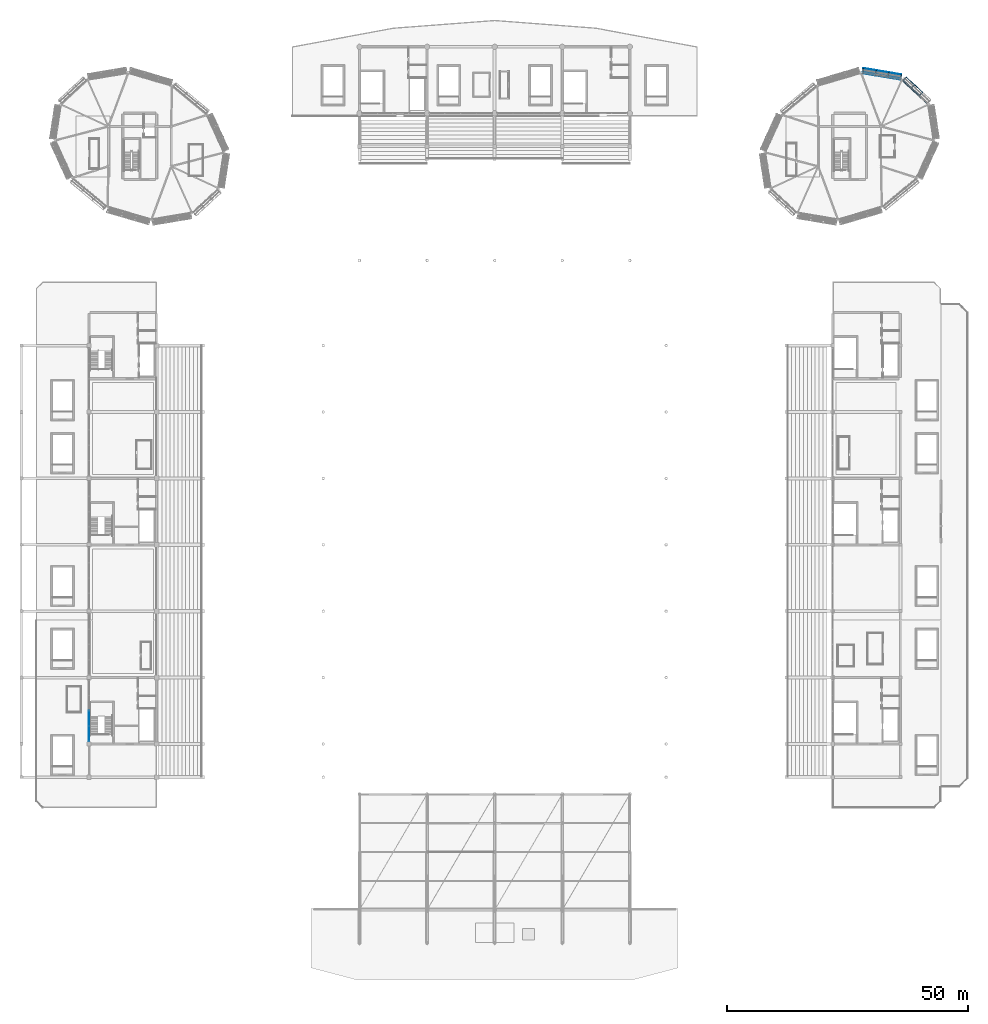
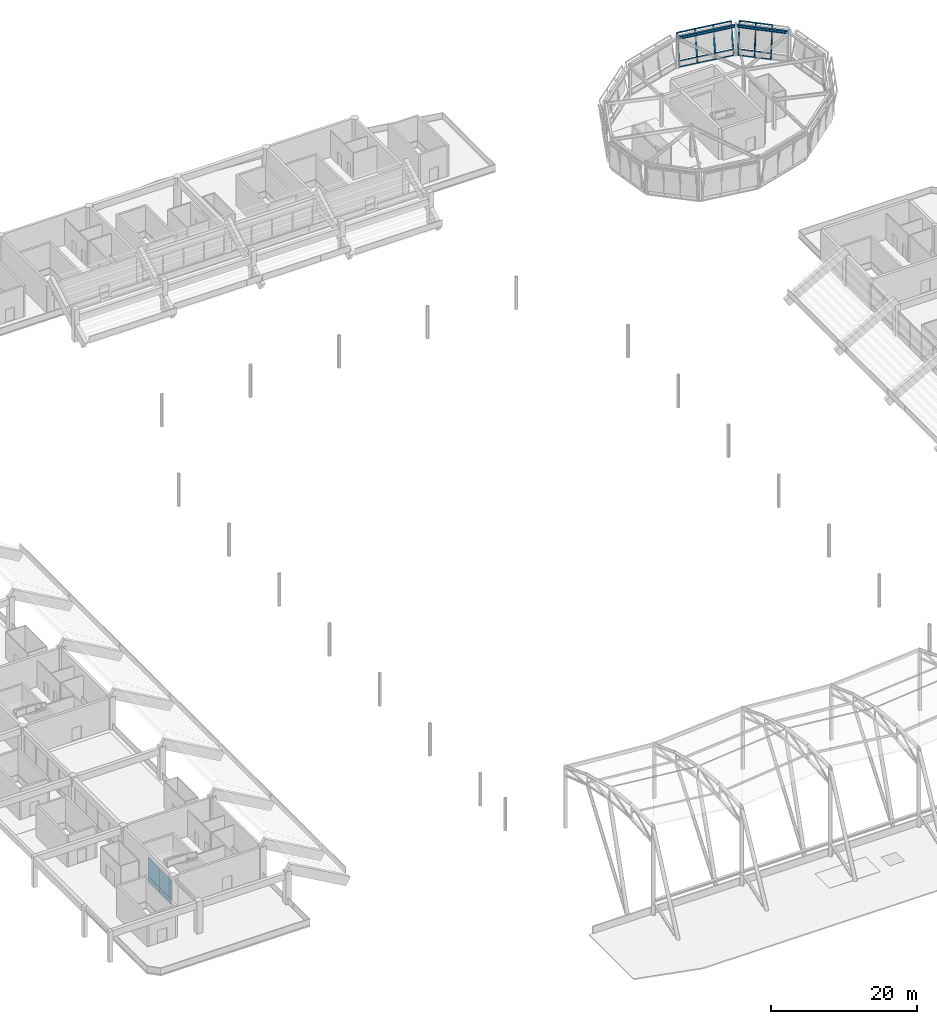
# One storey, part 56 of 90: 22 members, 4 plates, 2 beams, 3 elements without a shape of their own.
"""IFC4 building model written with IfcOpenShell, lengths in metres."""

from ifc_helpers import new_model, si_unit, direction, frame, origin, origin_2d, place, context, subcontext, project, spatial, rectangle, hollow_rectangle, i_section, extrude, material, layer, layer_set, material_profile, profile_set, type_object, element, aggregate, save


model = new_model("IFC4")

# Units and contexts
model_context = context("Model", 3, precision=1e-05, world=origin(), true_north=direction((0.0, 1.0)))
body_context = subcontext(model_context, "Body", "Model", "MODEL_VIEW")
ifc_project = project(units=[si_unit("LENGTHUNIT", "METRE"), si_unit("AREAUNIT", "SQUARE_METRE"), si_unit("VOLUMEUNIT", "CUBIC_METRE"), si_unit("PLANEANGLEUNIT", "RADIAN"), si_unit("MASSUNIT", "GRAM", prefix="KILO")], contexts=[model_context])

# Site, building, storey
site_placement = place(None, origin())
site = spatial("IfcSite", under=ifc_project, at=site_placement, CompositionType="ELEMENT")
building_placement = place(site_placement, origin())
building = spatial("IfcBuilding", under=site, at=building_placement, Name="Linyun Crest Stadium", CompositionType="ELEMENT")
storey_placement = place(building_placement, frame((0.0, 0.0, 21.0)))
storey = spatial("IfcBuildingStorey", under=building, at=storey_placement, Name="L05", CompositionType="ELEMENT", Elevation=21.0)

# Beams
ifc_material_1 = material(Name="Steel Q355C", Category="steel")
ifc_material_profile_1 = material_profile(ifc_material_1, i_section(OverallWidth=0.300048828125, OverallDepth=0.43994140625, WebThickness=0.010986328125, FlangeThickness=0.01806640625, at=origin_2d()), Name="HM 440x300")
ifc_profile_set_1 = profile_set([ifc_material_profile_1], Name="Steel Q355C")
beam_type = type_object("IfcBeamType", Name="B07", PredefinedType="BEAM", material=ifc_profile_set_1)
beam_1_placement = place(storey_placement, frame((89.7470703125, 93.39111328125, 4.929931640625), z_axis=(-0.734193861678, 0.678939889441, 0.0), x_axis=(-0.678939889441, -0.734193861678, 0.0)))
element("IfcBeam", 1, at=beam_1_placement, inside=storey, type_object=beam_type, Name="Pod ring girder B07 L05 145", PredefinedType="BEAM", context=body_context, shape_type="SweptSolid", body=[
    extrude(i_section(OverallWidth=0.300048828125, OverallDepth=0.43994140625, WebThickness=0.010986328125, FlangeThickness=0.01806640625, at=origin_2d()), origin(), (0.0, 0.0, 1.0), 7.28173828125),
])
beam_2_placement = place(storey_placement, frame((84.195068359375, 98.43603515625, 4.929931640625), z_axis=(-0.986275969976, 0.165105151487, 0.0), x_axis=(-0.165105151487, -0.986275969976, 0.0)))
element("IfcBeam", 2, at=beam_2_placement, inside=storey, type_object=beam_type, Name="Pod ring girder B07 L05 147", PredefinedType="BEAM", context=body_context, shape_type="SweptSolid", body=[
    extrude(i_section(OverallWidth=0.300048828125, OverallDepth=0.43994140625, WebThickness=0.010986328125, FlangeThickness=0.01806640625, at=origin_2d()), origin(), (0.0, 0.0, 1.0), 8.296875),
])

# Curtain wall, members
ifc_material_2 = material(Name="Verdigris steel and low-E curtain wall assembly", Category="steel")
curtain_wall_type_1 = type_object("IfcCurtainWallType", Name="MCW04", PredefinedType="NOTDEFINED", material=ifc_material_2)
curtain_wall_1_placement = place(storey_placement, origin())
curtain_wall_1 = element("IfcCurtainWall", 3, at=curtain_wall_1_placement, inside=storey, type_object=curtain_wall_type_1, Name="CWR-049", PredefinedType="NOTDEFINED")
ifc_material_3 = material(Name="Verdigris painted steel Q355C pod mullion", Category="steel")
ifc_material_profile_2 = material_profile(ifc_material_3, hollow_rectangle(XDim=0.1201171875, YDim=0.219970703125, WallThickness=0.008056640625, at=origin_2d()), Name="RHS 220x120x8")
ifc_profile_set_2 = profile_set([ifc_material_profile_2], Name="Verdigris painted steel Q355C pod mullion")
member_type_1 = type_object("IfcMemberType", Name="ML04", PredefinedType="MULLION", material=ifc_profile_set_2)
member_1_placement = place(storey_placement, frame((87.9208984375, 95.080078125, 0.0), z_axis=(0.135408824728, 0.146377696005, 0.97991735381), x_axis=(0.986931474676, 0.067271316009, -0.146426890757)))
member_1 = element("IfcMember", 4, at=member_1_placement, type_object=member_type_1, Name="CWR-049 mullion 2", PredefinedType="MULLION", context=body_context, shape_type="SweptSolid", body=[
    extrude(hollow_rectangle(XDim=0.1201171875, YDim=0.219970703125, WallThickness=0.008056640625, at=origin_2d()), origin(), (0.0, 0.0, 1.0), 5.163818359375),
])
member_2_placement = place(storey_placement, frame((86.22705078125, 96.64599609375, 0.0), z_axis=(0.135361474609, 0.146424899359, 0.979916843431), x_axis=(0.986908625049, 0.067601716687, -0.146428732514)))
member_2 = element("IfcMember", 5, at=member_2_placement, type_object=member_type_1, Name="CWR-049 mullion 3", PredefinedType="MULLION", context=body_context, shape_type="SweptSolid", body=[
    extrude(hollow_rectangle(XDim=0.1201171875, YDim=0.219970703125, WallThickness=0.008056640625, at=origin_2d()), origin(), (0.0, 0.0, 1.0), 5.163818359375),
])
member_3_placement = place(storey_placement, frame((84.532958984375, 98.2119140625, 0.0), z_axis=(0.135361474609, 0.146424899359, 0.979916843431), x_axis=(0.986908625049, 0.067601716687, -0.146428732514)))
member_3 = element("IfcMember", 6, at=member_3_placement, type_object=member_type_1, Name="CWR-049 mullion 4", PredefinedType="MULLION", context=body_context, shape_type="SweptSolid", body=[
    extrude(hollow_rectangle(XDim=0.1201171875, YDim=0.219970703125, WallThickness=0.008056640625, at=origin_2d()), origin(), (0.0, 0.0, 1.0), 5.163818359375),
])

curtain_wall_2_placement = place(storey_placement, origin())
curtain_wall_2 = element("IfcCurtainWall", 7, at=curtain_wall_2_placement, inside=storey, type_object=curtain_wall_type_1, Name="CWR-050", PredefinedType="NOTDEFINED")
member_4_placement = place(storey_placement, frame((84.01708984375, 98.466064453125, 0.0), z_axis=(0.032907446798, 0.196546345318, 0.979942158542), x_axis=(0.322380364555, 0.925980213076, -0.196549091937)))
member_4 = element("IfcMember", 8, at=member_4_placement, type_object=member_type_1, Name="CWR-050 mullion 1", PredefinedType="MULLION", context=body_context, shape_type="SweptSolid", body=[
    extrude(hollow_rectangle(XDim=0.1201171875, YDim=0.219970703125, WallThickness=0.008056640625, at=origin_2d()), origin(), (0.0, 0.0, 1.0), 5.16357421875),
])
member_5_placement = place(storey_placement, frame((81.407958984375, 98.903076171875, 0.0), z_axis=(0.032907446798, 0.196546345318, 0.979942158542), x_axis=(0.322380364555, 0.925980213076, -0.196549091937)))
member_5 = element("IfcMember", 9, at=member_5_placement, type_object=member_type_1, Name="CWR-050 mullion 2", PredefinedType="MULLION", context=body_context, shape_type="SweptSolid", body=[
    extrude(hollow_rectangle(XDim=0.1201171875, YDim=0.219970703125, WallThickness=0.008056640625, at=origin_2d()), origin(), (0.0, 0.0, 1.0), 5.16357421875),
])
member_6_placement = place(storey_placement, frame((78.799072265625, 99.339111328125, 0.0), z_axis=(0.03290622306, 0.196728152516, 0.979905717144), x_axis=(0.322229454544, 0.925995226234, -0.196725747212)))
member_6 = element("IfcMember", 10, at=member_6_placement, type_object=member_type_1, Name="CWR-050 mullion 3", PredefinedType="MULLION", context=body_context, shape_type="SweptSolid", body=[
    extrude(hollow_rectangle(XDim=0.1201171875, YDim=0.219970703125, WallThickness=0.008056640625, at=origin_2d()), origin(), (0.0, 0.0, 1.0), 5.163818359375),
])
member_7_placement = place(storey_placement, frame((76.18994140625, 99.77587890625, 0.0), z_axis=(0.032954370027, 0.19659149293, 0.979931525365), x_axis=(0.322558975368, 0.925907063302, -0.196600654976)))
member_7 = element("IfcMember", 11, at=member_7_placement, type_object=member_type_1, Name="CWR-050 mullion 4", PredefinedType="MULLION", context=body_context, shape_type="SweptSolid", body=[
    extrude(hollow_rectangle(XDim=0.1201171875, YDim=0.219970703125, WallThickness=0.008056640625, at=origin_2d()), origin(), (0.0, 0.0, 1.0), 5.16357421875),
])

# Member
ifc_material_4 = material(Name="Verdigris painted steel Q355C transom", Category="steel")
ifc_material_profile_3 = material_profile(ifc_material_4, hollow_rectangle(XDim=0.10009765625, YDim=0.199951171875, WallThickness=0.008056640625, at=origin_2d()), Name="RHS 200x100x8")
ifc_profile_set_3 = profile_set([ifc_material_profile_3], Name="Verdigris painted steel Q355C transom")
member_type_2 = type_object("IfcMemberType", Name="TR03", PredefinedType="USERDEFINED", material=ifc_profile_set_3)
member_8_placement = place(storey_placement, frame((87.9208984375, 95.080078125, 0.0), z_axis=(-0.73429197574, 0.678833775208, 0.0), x_axis=(-0.678833775208, -0.73429197574, 0.0)))
member_8 = element("IfcMember", 12, at=member_8_placement, type_object=member_type_2, Name="CWR-049 transom 2.1", ObjectType="TRANSOM", PredefinedType="USERDEFINED", context=body_context, shape_type="SweptSolid", body=[
    extrude(hollow_rectangle(XDim=0.10009765625, YDim=0.199951171875, WallThickness=0.008056640625, at=origin_2d()), origin(), (0.0, 0.0, 1.0), 2.306884765625),
])

member_9_placement = place(storey_placement, frame((88.044921875, 95.214111328125, 0.89990234375), z_axis=(-0.73429197574, 0.678833775208, 0.0), x_axis=(-0.678833775208, -0.73429197574, 0.0)))
member_9 = element("IfcMember", 13, at=member_9_placement, type_object=member_type_2, Name="CWR-049 transom 2.2", ObjectType="TRANSOM", PredefinedType="USERDEFINED", context=body_context, shape_type="SweptSolid", body=[
    extrude(hollow_rectangle(XDim=0.10009765625, YDim=0.199951171875, WallThickness=0.008056640625, at=origin_2d()), origin(), (0.0, 0.0, 1.0), 2.306884765625),
])

member_10_placement = place(storey_placement, frame((88.6201171875, 95.8359375, 5.06005859375), z_axis=(-0.734287991916, 0.678838084471, 0.0), x_axis=(-0.678838084471, -0.734287991916, 0.0)))
member_10 = element("IfcMember", 14, at=member_10_placement, type_object=member_type_2, Name="CWR-049 transom 2.3", ObjectType="TRANSOM", PredefinedType="USERDEFINED", context=body_context, shape_type="SweptSolid", body=[
    extrude(hollow_rectangle(XDim=0.10009765625, YDim=0.199951171875, WallThickness=0.008056640625, at=origin_2d()), origin(), (0.0, 0.0, 1.0), 2.30712890625),
])

member_11_placement = place(storey_placement, frame((86.22705078125, 96.64599609375, 0.0), z_axis=(-0.734340741023, 0.678781022182, 0.0), x_axis=(-0.678781022182, -0.734340741023, 0.0)))
member_11 = element("IfcMember", 15, at=member_11_placement, type_object=member_type_2, Name="CWR-049 transom 3.1", ObjectType="TRANSOM", PredefinedType="USERDEFINED", context=body_context, shape_type="SweptSolid", body=[
    extrude(hollow_rectangle(XDim=0.10009765625, YDim=0.199951171875, WallThickness=0.008056640625, at=origin_2d()), origin(), (0.0, 0.0, 1.0), 2.306884765625),
])

member_12_placement = place(storey_placement, frame((86.35107421875, 96.780029296875, 0.89990234375), z_axis=(-0.734340741023, 0.678781022182, 0.0), x_axis=(-0.678781022182, -0.734340741023, 0.0)))
member_12 = element("IfcMember", 16, at=member_12_placement, type_object=member_type_2, Name="CWR-049 transom 3.2", ObjectType="TRANSOM", PredefinedType="USERDEFINED", context=body_context, shape_type="SweptSolid", body=[
    extrude(hollow_rectangle(XDim=0.10009765625, YDim=0.199951171875, WallThickness=0.008056640625, at=origin_2d()), origin(), (0.0, 0.0, 1.0), 2.306884765625),
])

member_13_placement = place(storey_placement, frame((86.926025390625, 97.402099609375, 5.06005859375), z_axis=(-0.734340741023, 0.678781022182, 0.0), x_axis=(-0.678781022182, -0.734340741023, 0.0)))
member_13 = element("IfcMember", 17, at=member_13_placement, type_object=member_type_2, Name="CWR-049 transom 3.3", ObjectType="TRANSOM", PredefinedType="USERDEFINED", context=body_context, shape_type="SweptSolid", body=[
    extrude(hollow_rectangle(XDim=0.10009765625, YDim=0.199951171875, WallThickness=0.008056640625, at=origin_2d()), origin(), (0.0, 0.0, 1.0), 2.306884765625),
])

aggregate(curtain_wall_1, [member_1, member_2, member_3, member_8, member_9, member_10, member_11, member_12, member_13])

member_14_placement = place(storey_placement, frame((84.01708984375, 98.466064453125, 0.0), z_axis=(-0.986261411357, 0.165192095661, 0.0), x_axis=(-0.165192095661, -0.986261411357, 0.0)))
member_14 = element("IfcMember", 18, at=member_14_placement, type_object=member_type_2, Name="CWR-050 transom 1.1", ObjectType="TRANSOM", PredefinedType="USERDEFINED", context=body_context, shape_type="SweptSolid", body=[
    extrude(hollow_rectangle(XDim=0.10009765625, YDim=0.199951171875, WallThickness=0.008056640625, at=origin_2d()), origin(), (0.0, 0.0, 1.0), 2.6455078125),
])

member_15_placement = place(storey_placement, frame((84.047119140625, 98.64697265625, 0.89990234375), z_axis=(-0.986321491601, 0.164832991859, 0.0), x_axis=(-0.164832991859, -0.986321491601, 0.0)))
member_15 = element("IfcMember", 19, at=member_15_placement, type_object=member_type_2, Name="CWR-050 transom 1.2", ObjectType="TRANSOM", PredefinedType="USERDEFINED", context=body_context, shape_type="SweptSolid", body=[
    extrude(hollow_rectangle(XDim=0.10009765625, YDim=0.199951171875, WallThickness=0.008056640625, at=origin_2d()), origin(), (0.0, 0.0, 1.0), 2.645263671875),
])

member_16_placement = place(storey_placement, frame((84.18701171875, 99.48095703125, 5.06005859375), z_axis=(-0.986261411357, 0.165192095661, 0.0), x_axis=(-0.165192095661, -0.986261411357, 0.0)))
member_16 = element("IfcMember", 20, at=member_16_placement, type_object=member_type_2, Name="CWR-050 transom 1.3", ObjectType="TRANSOM", PredefinedType="USERDEFINED", context=body_context, shape_type="SweptSolid", body=[
    extrude(hollow_rectangle(XDim=0.10009765625, YDim=0.199951171875, WallThickness=0.008056640625, at=origin_2d()), origin(), (0.0, 0.0, 1.0), 2.6455078125),
])

member_17_placement = place(storey_placement, frame((81.407958984375, 98.903076171875, 0.0), z_axis=(-0.986318983701, 0.164847997837, 0.0), x_axis=(-0.164847997837, -0.986318983701, 0.0)))
member_17 = element("IfcMember", 21, at=member_17_placement, type_object=member_type_2, Name="CWR-050 transom 2.1", ObjectType="TRANSOM", PredefinedType="USERDEFINED", context=body_context, shape_type="SweptSolid", body=[
    extrude(hollow_rectangle(XDim=0.10009765625, YDim=0.199951171875, WallThickness=0.008056640625, at=origin_2d()), origin(), (0.0, 0.0, 1.0), 2.64501953125),
])

member_18_placement = place(storey_placement, frame((81.43798828125, 99.0830078125, 0.89990234375), z_axis=(-0.98625889267, 0.165207132499, 0.0), x_axis=(-0.165207132499, -0.98625889267, 0.0)))
member_18 = element("IfcMember", 22, at=member_18_placement, type_object=member_type_2, Name="CWR-050 transom 2.2", ObjectType="TRANSOM", PredefinedType="USERDEFINED", context=body_context, shape_type="SweptSolid", body=[
    extrude(hollow_rectangle(XDim=0.10009765625, YDim=0.199951171875, WallThickness=0.008056640625, at=origin_2d()), origin(), (0.0, 0.0, 1.0), 2.645263671875),
])

member_19_placement = place(storey_placement, frame((81.577880859375, 99.91796875, 5.06005859375), z_axis=(-0.98625889267, 0.165207132499, 0.0), x_axis=(-0.165207132499, -0.98625889267, 0.0)))
member_19 = element("IfcMember", 23, at=member_19_placement, type_object=member_type_2, Name="CWR-050 transom 2.3", ObjectType="TRANSOM", PredefinedType="USERDEFINED", context=body_context, shape_type="SweptSolid", body=[
    extrude(hollow_rectangle(XDim=0.10009765625, YDim=0.199951171875, WallThickness=0.008056640625, at=origin_2d()), origin(), (0.0, 0.0, 1.0), 2.645263671875),
])

member_20_placement = place(storey_placement, frame((78.799072265625, 99.339111328125, 0.0), z_axis=(-0.986276442989, 0.165102325864, 0.0), x_axis=(-0.165102325864, -0.986276442989, 0.0)))
member_20 = element("IfcMember", 24, at=member_20_placement, type_object=member_type_2, Name="CWR-050 transom 3.1", ObjectType="TRANSOM", PredefinedType="USERDEFINED", context=body_context, shape_type="SweptSolid", body=[
    extrude(hollow_rectangle(XDim=0.10009765625, YDim=0.199951171875, WallThickness=0.008056640625, at=origin_2d()), origin(), (0.0, 0.0, 1.0), 2.6455078125),
])

member_21_placement = place(storey_placement, frame((78.8291015625, 99.52001953125, 0.89990234375), z_axis=(-0.986261411357, 0.165192095661, 0.0), x_axis=(-0.165192095661, -0.986261411357, 0.0)))
member_21 = element("IfcMember", 25, at=member_21_placement, type_object=member_type_2, Name="CWR-050 transom 3.2", ObjectType="TRANSOM", PredefinedType="USERDEFINED", context=body_context, shape_type="SweptSolid", body=[
    extrude(hollow_rectangle(XDim=0.10009765625, YDim=0.199951171875, WallThickness=0.008056640625, at=origin_2d()), origin(), (0.0, 0.0, 1.0), 2.6455078125),
])

member_22_placement = place(storey_placement, frame((78.968994140625, 100.35498046875, 5.06005859375), z_axis=(-0.986318983701, 0.164847997837, 0.0), x_axis=(-0.164847997837, -0.986318983701, 0.0)))
member_22 = element("IfcMember", 26, at=member_22_placement, type_object=member_type_2, Name="CWR-050 transom 3.3", ObjectType="TRANSOM", PredefinedType="USERDEFINED", context=body_context, shape_type="SweptSolid", body=[
    extrude(hollow_rectangle(XDim=0.10009765625, YDim=0.199951171875, WallThickness=0.008056640625, at=origin_2d()), origin(), (0.0, 0.0, 1.0), 2.64501953125),
])

aggregate(curtain_wall_2, [member_4, member_5, member_6, member_7, member_14, member_15, member_16, member_17, member_18, member_19, member_20, member_21, member_22])

# Curtain wall, plates
ifc_material_5 = material(Name="Verdigris steel and low-E curtain wall assembly", Category="steel")
curtain_wall_type_2 = type_object("IfcCurtainWallType", Name="MCW01", PredefinedType="NOTDEFINED", material=ifc_material_5)
curtain_wall_3_placement = place(storey_placement, origin())
curtain_wall_3 = element("IfcCurtainWall", 27, at=curtain_wall_3_placement, inside=storey, type_object=curtain_wall_type_2, Name="CWR-076", PredefinedType="NOTDEFINED")
ifc_material_6 = material(Name="Double silver low-E insulated glass", Category="glass")
ifc_layer_1 = layer(ifc_material_6, 0.02587890625)
ifc_layer_set_1 = layer_set([ifc_layer_1], Name="Double silver low-E insulated glass")
plate_type_1 = type_object("IfcPlateType", Name="GP01", PredefinedType="CURTAIN_PANEL", material=ifc_layer_set_1)
plate_1_placement = place(storey_placement, frame((-84.0, -36.993896484375, 0.9248046875), z_axis=(0.0, 0.0, 1.0), x_axis=(0.0, 1.0, 0.0)))
plate_1 = element("IfcPlate", 28, at=plate_1_placement, type_object=plate_type_1, Name="CWR-076 panel 1.2", PredefinedType="CURTAIN_PANEL", context=body_context, shape_type="SweptSolid", body=[
    extrude(rectangle(XDim=3.112548828125, YDim=0.02587890625, at=origin_2d()), origin(), (0.0, 0.0, 1.0), 3.300048828125),
])
plate_2_placement = place(storey_placement, frame((-84.0, -33.8310546875, 0.9248046875), z_axis=(0.0, 0.0, 1.0), x_axis=(0.0, 1.0, 0.0)))
plate_2 = element("IfcPlate", 29, at=plate_2_placement, type_object=plate_type_1, Name="CWR-076 panel 2.2", PredefinedType="CURTAIN_PANEL", context=body_context, shape_type="SweptSolid", body=[
    extrude(rectangle(XDim=3.112548828125, YDim=0.02587890625, at=origin_2d()), origin(), (0.0, 0.0, 1.0), 3.300048828125),
])
ifc_material_7 = material(Name="Celadon glazed ceramic faience insulated spandrel")
ifc_layer_2 = layer(ifc_material_7, 0.0419921875)
ifc_layer_set_2 = layer_set([ifc_layer_2], Name="Celadon glazed ceramic faience insulated spandrel")
plate_type_2 = type_object("IfcPlateType", Name="SP01", PredefinedType="SHEET", material=ifc_layer_set_2)
plate_3_placement = place(storey_placement, frame((-84.0, -36.993896484375, 0.02490234375), z_axis=(0.0, 0.0, 1.0), x_axis=(0.0, 1.0, 0.0)))
plate_3 = element("IfcPlate", 30, at=plate_3_placement, type_object=plate_type_2, Name="CWR-076 panel 1.1", PredefinedType="SHEET", context=body_context, shape_type="SweptSolid", body=[
    extrude(rectangle(XDim=3.112548828125, YDim=0.0419921875, at=origin_2d()), origin(), (0.0, 0.0, 1.0), 0.85009765625),
])
plate_4_placement = place(storey_placement, frame((-84.0, -33.8310546875, 0.02490234375), z_axis=(0.0, 0.0, 1.0), x_axis=(0.0, 1.0, 0.0)))
plate_4 = element("IfcPlate", 31, at=plate_4_placement, type_object=plate_type_2, Name="CWR-076 panel 2.1", PredefinedType="SHEET", context=body_context, shape_type="SweptSolid", body=[
    extrude(rectangle(XDim=3.112548828125, YDim=0.0419921875, at=origin_2d()), origin(), (0.0, 0.0, 1.0), 0.85009765625),
])
aggregate(curtain_wall_3, [plate_3, plate_1, plate_4, plate_2])

save(model, "model.ifc")
